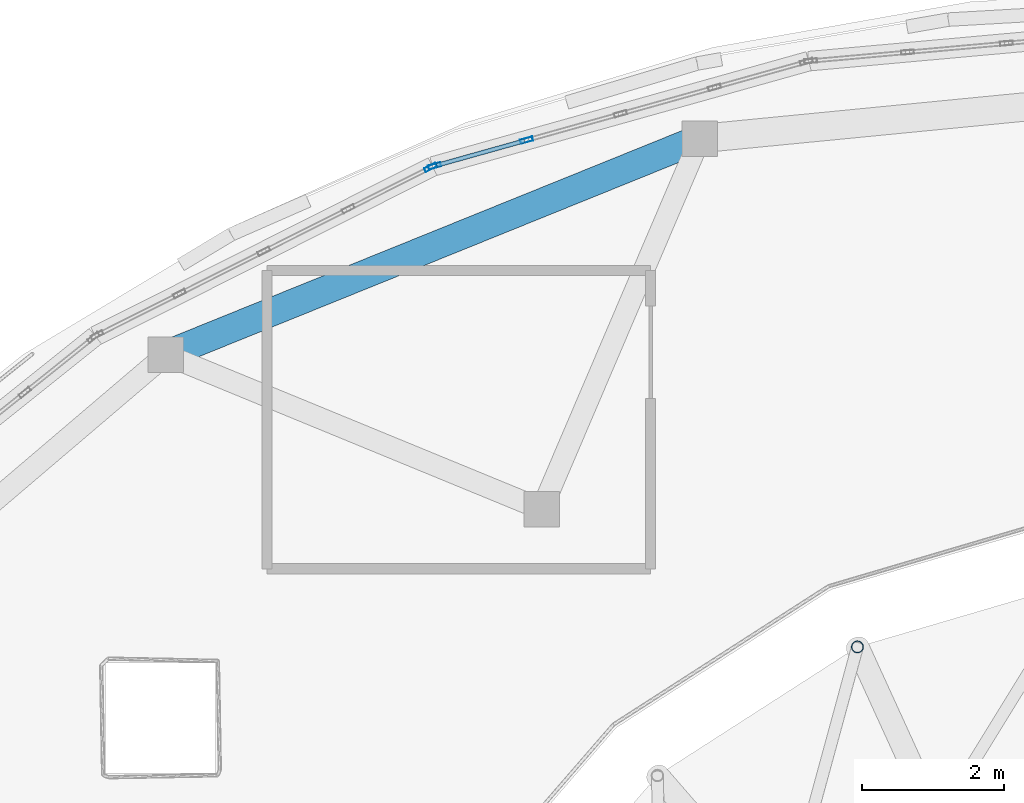
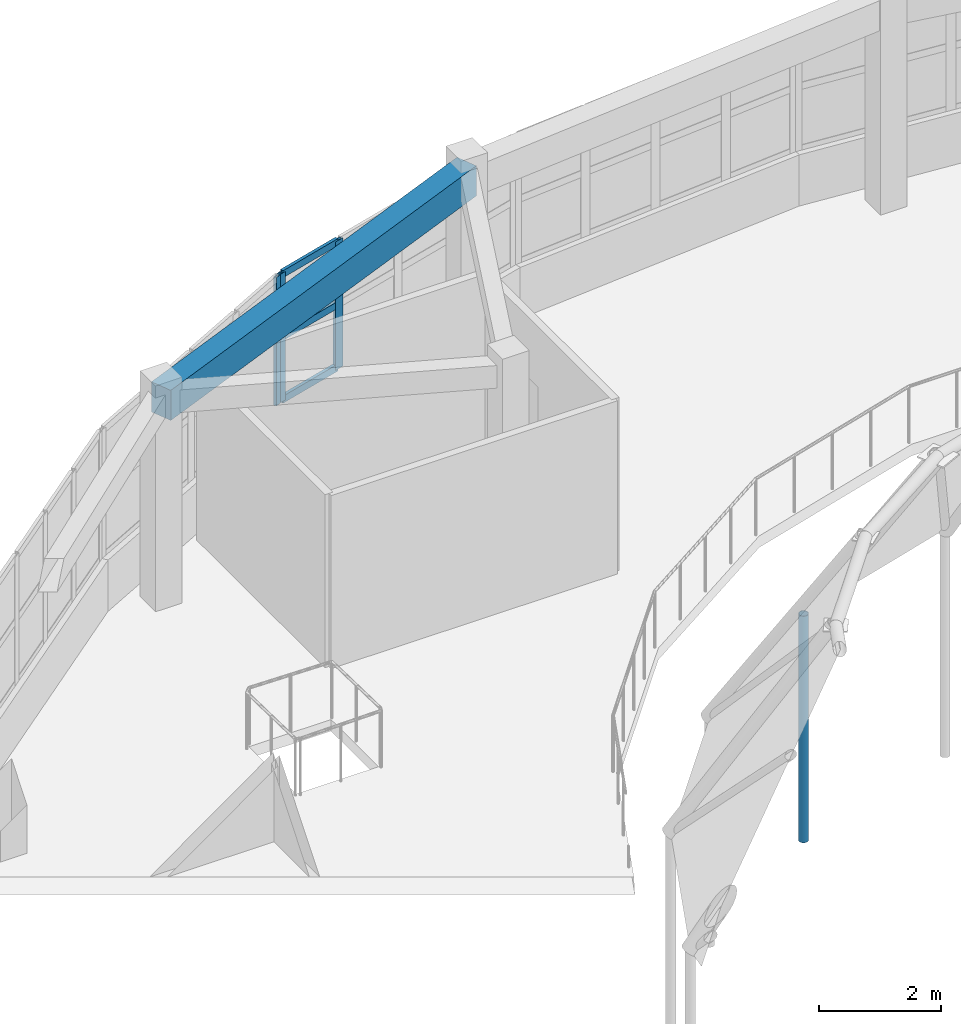
# One storey, part 22 of 38: 7 members, 1 beam, 2 elements without a shape of their own.
"""IFC4 building model written with IfcOpenShell, lengths in metres."""

from ifc_helpers import new_model, si_unit, direction, frame, origin, origin_2d, place, context, subcontext, project, spatial, rectangle, hollow_rectangle, hollow_circle, extrude, material, layer, layer_set, material_profile, profile_set, type_object, element, aggregate, save


model = new_model("IFC4")

# Units and contexts
model_context = context("Model", 3, precision=1e-05, world=origin(), true_north=direction((0.0, 1.0)))
body_context = subcontext(model_context, "Body", "Model", "MODEL_VIEW")
ifc_project = project(units=[si_unit("LENGTHUNIT", "METRE"), si_unit("AREAUNIT", "SQUARE_METRE"), si_unit("VOLUMEUNIT", "CUBIC_METRE"), si_unit("PLANEANGLEUNIT", "RADIAN"), si_unit("MASSUNIT", "GRAM", prefix="KILO")], contexts=[model_context])

# Site, building, storey
site_placement = place(None, origin())
site = spatial("IfcSite", under=ifc_project, at=site_placement, CompositionType="ELEMENT")
building_placement = place(site_placement, origin())
building = spatial("IfcBuilding", under=site, at=building_placement, Name="Pelvatis Terrace Science Centre", CompositionType="ELEMENT")
storey_placement = place(building_placement, frame((0.0, 0.0, 24.300048828125)))
storey = spatial("IfcBuildingStorey", under=building, at=storey_placement, Name="L05", CompositionType="ELEMENT", Elevation=24.300048828125)

# Beam
ifc_material_1 = material(Name="Concrete C35/45", Category="concrete")
ifc_material_profile_1 = material_profile(ifc_material_1, rectangle(XDim=0.39990234375, YDim=0.60009765625, at=origin_2d()), Name="RC-BM 400x600")
ifc_profile_set_1 = profile_set([ifc_material_profile_1], Name="Concrete C35/45")
beam_type = type_object("IfcBeamType", Name="BM-RC-400x600", PredefinedType="BEAM", material=ifc_profile_set_1)
beam_placement = place(storey_placement, frame((102.095458984375, 103.65673828125, 3.9599609375), z_axis=(-0.926974722929, -0.375123796967, 0.0), x_axis=(0.375123796967, -0.926974722929, 0.0)))
element("IfcBeam", 1, at=beam_placement, inside=storey, type_object=beam_type, Name="Beam BM-L05-3126", PredefinedType="BEAM", context=body_context, shape_type="SweptSolid", body=[
    extrude(rectangle(XDim=0.39990234375, YDim=0.60009765625, at=origin_2d()), origin(), (0.0, 0.0, 1.0), 8.11181640625),
])

# Curtain wall, members
ifc_material_2 = material(Name="Bronze-anodised aluminium and laminated glass", Category="aluminium")
ifc_layer = layer(ifc_material_2, 0.179931640625)
ifc_layer_set = layer_set([ifc_layer], Name="Bronze-anodised aluminium and laminated glass")
curtain_wall_type = type_object("IfcCurtainWallType", Name="CW-RIBBON-A", PredefinedType="NOTDEFINED", material=ifc_layer_set)
curtain_wall_1_placement = place(storey_placement, origin())
curtain_wall_1 = element("IfcCurtainWall", 2, at=curtain_wall_1_placement, inside=storey, type_object=curtain_wall_type, Name="Ribbon curtain wall CW-245 (L05)", PredefinedType="NOTDEFINED")
ifc_material_3 = material(Name="Bronze-anodised aluminium 6063-T6", Category="aluminium")
ifc_material_profile_2 = material_profile(ifc_material_3, hollow_rectangle(XDim=0.06005859375, YDim=0.179931640625, WallThickness=0.00390625, at=origin_2d()), Name="ALU-MUL 60x180")
ifc_profile_set_2 = profile_set([ifc_material_profile_2], Name="Bronze-anodised aluminium 6063-T6")
member_type_1 = type_object("IfcMemberType", Name="CWM-60x180", PredefinedType="MULLION", material=ifc_profile_set_2)
member_1_placement = place(storey_placement, frame((99.65478515625, 103.635009765625, 1.02001953125), z_axis=(0.0, 0.0, 1.0), x_axis=(0.269694685663, -0.962945884526, 0.0)))
member_1 = element("IfcMember", 3, at=member_1_placement, type_object=member_type_1, Name="CW-245 mullion 4", PredefinedType="MULLION", context=body_context, shape_type="SweptSolid", body=[
    extrude(hollow_rectangle(XDim=0.06005859375, YDim=0.179931640625, WallThickness=0.00390625, at=origin_2d()), origin(), (0.0, 0.0, 1.0), 2.559814453125),
])
member_2_placement = place(storey_placement, frame((98.360107421875, 103.2724609375, 1.02001953125), z_axis=(0.0, 0.0, 1.0), x_axis=(0.269694685663, -0.962945884526, 0.0)))
member_2 = element("IfcMember", 4, at=member_2_placement, type_object=member_type_1, Name="CW-245 mullion 5", PredefinedType="MULLION", context=body_context, shape_type="SweptSolid", body=[
    extrude(hollow_rectangle(XDim=0.06005859375, YDim=0.179931640625, WallThickness=0.00390625, at=origin_2d()), origin(), (0.0, 0.0, 1.0), 2.559814453125),
])

# Curtain wall, member
curtain_wall_2_placement = place(storey_placement, origin())
curtain_wall_2 = element("IfcCurtainWall", 5, at=curtain_wall_2_placement, inside=storey, type_object=curtain_wall_type, Name="Ribbon curtain wall CW-246 (L05)", PredefinedType="NOTDEFINED")
member_3_placement = place(storey_placement, frame((98.304443359375, 103.2509765625, 1.02001953125), z_axis=(0.0, 0.0, 1.0), x_axis=(0.449303995918, -0.893378933741, 0.0)))
member_3 = element("IfcMember", 6, at=member_3_placement, type_object=member_type_1, Name="CW-246 mullion 1", PredefinedType="MULLION", context=body_context, shape_type="SweptSolid", body=[
    extrude(hollow_rectangle(XDim=0.06005859375, YDim=0.179931640625, WallThickness=0.00390625, at=origin_2d()), origin(), (0.0, 0.0, 1.0), 2.559814453125),
])
aggregate(curtain_wall_2, [member_3])

# Member
ifc_material_4 = material(Name="Bronze-anodised aluminium 6063-T6", Category="aluminium")
ifc_material_profile_3 = material_profile(ifc_material_4, hollow_rectangle(XDim=0.06005859375, YDim=0.139892578125, WallThickness=0.00390625, at=origin_2d()), Name="ALU-TRN 60x140")
ifc_profile_set_3 = profile_set([ifc_material_profile_3], Name="Bronze-anodised aluminium 6063-T6")
member_type_2 = type_object("IfcMemberType", Name="CWT-60x140", PredefinedType="USERDEFINED", material=ifc_profile_set_3)
member_4_placement = place(storey_placement, frame((99.6259765625, 103.626953125, 1.050048828125), z_axis=(-0.96295217629, -0.269672219885, 0.0), x_axis=(0.269672219885, -0.96295217629, 0.0)))
member_4 = element("IfcMember", 7, at=member_4_placement, type_object=member_type_2, Name="CW-245 transom 4.1", ObjectType="TRANSOM", PredefinedType="USERDEFINED", context=body_context, shape_type="SweptSolid", body=[
    extrude(hollow_rectangle(XDim=0.06005859375, YDim=0.139892578125, WallThickness=0.00390625, at=origin_2d()), origin(), (0.0, 0.0, 1.0), 1.28466796875),
])

member_5_placement = place(storey_placement, frame((99.6259765625, 103.626953125, 2.300048828125), z_axis=(-0.96295217629, -0.269672219885, 0.0), x_axis=(0.269672219885, -0.96295217629, 0.0)))
member_5 = element("IfcMember", 8, at=member_5_placement, type_object=member_type_2, Name="CW-245 transom 4.2", ObjectType="TRANSOM", PredefinedType="USERDEFINED", context=body_context, shape_type="SweptSolid", body=[
    extrude(hollow_rectangle(XDim=0.06005859375, YDim=0.139892578125, WallThickness=0.00390625, at=origin_2d()), origin(), (0.0, 0.0, 1.0), 1.28466796875),
])

member_6_placement = place(storey_placement, frame((99.6259765625, 103.626953125, 3.550048828125), z_axis=(-0.96295217629, -0.269672219885, 0.0), x_axis=(0.269672219885, -0.96295217629, 0.0)))
member_6 = element("IfcMember", 9, at=member_6_placement, type_object=member_type_2, Name="CW-245 transom 4.3", ObjectType="TRANSOM", PredefinedType="USERDEFINED", context=body_context, shape_type="SweptSolid", body=[
    extrude(hollow_rectangle(XDim=0.06005859375, YDim=0.139892578125, WallThickness=0.00390625, at=origin_2d()), origin(), (0.0, 0.0, 1.0), 1.28466796875),
])

aggregate(curtain_wall_1, [member_1, member_2, member_4, member_5, member_6])

ifc_material_5 = material(Name="Structural steel S355", Category="steel")
ifc_material_profile_4 = material_profile(ifc_material_5, hollow_circle(Radius=0.084228515625, WallThickness=0.00634765625, at=origin_2d()), Name="CHS 168.3x6.3")
ifc_profile_set_4 = profile_set([ifc_material_profile_4], Name="Structural steel S355")
member_type_3 = type_object("IfcMemberType", Name="MEM-STR-CHS168", PredefinedType="STRUT", material=ifc_profile_set_4)
member_7_placement = place(storey_placement, frame((104.3134765625, 96.5, -5.699951171875), z_axis=(0.0, 0.0, 1.0), x_axis=(1.0, 0.0, 0.0)))
element("IfcMember", 10, at=member_7_placement, inside=storey, type_object=member_type_3, Name="Dome arch vertical web post 1.08", PredefinedType="STRUT", context=body_context, shape_type="SweptSolid", body=[
    extrude(hollow_circle(Radius=0.084228515625, WallThickness=0.00634765625, at=origin_2d()), origin(), (0.0, 0.0, 1.0), 4.515380859375),
])

save(model, "model.ifc")
